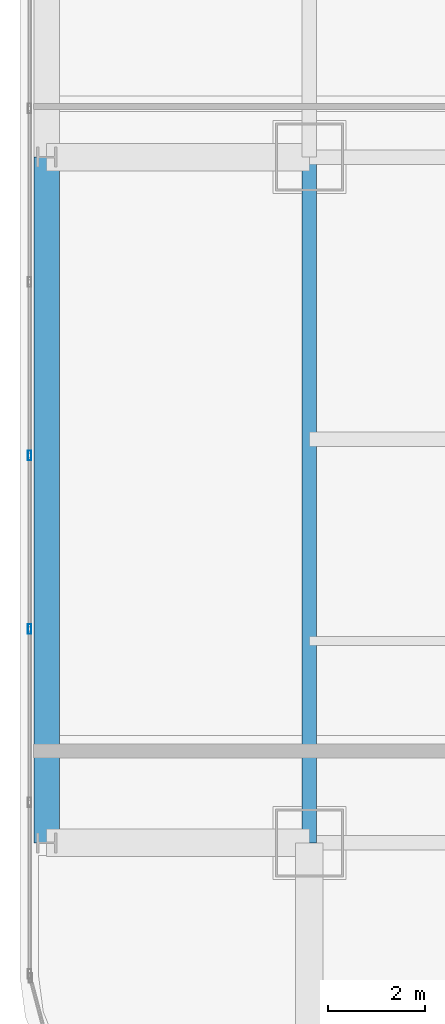
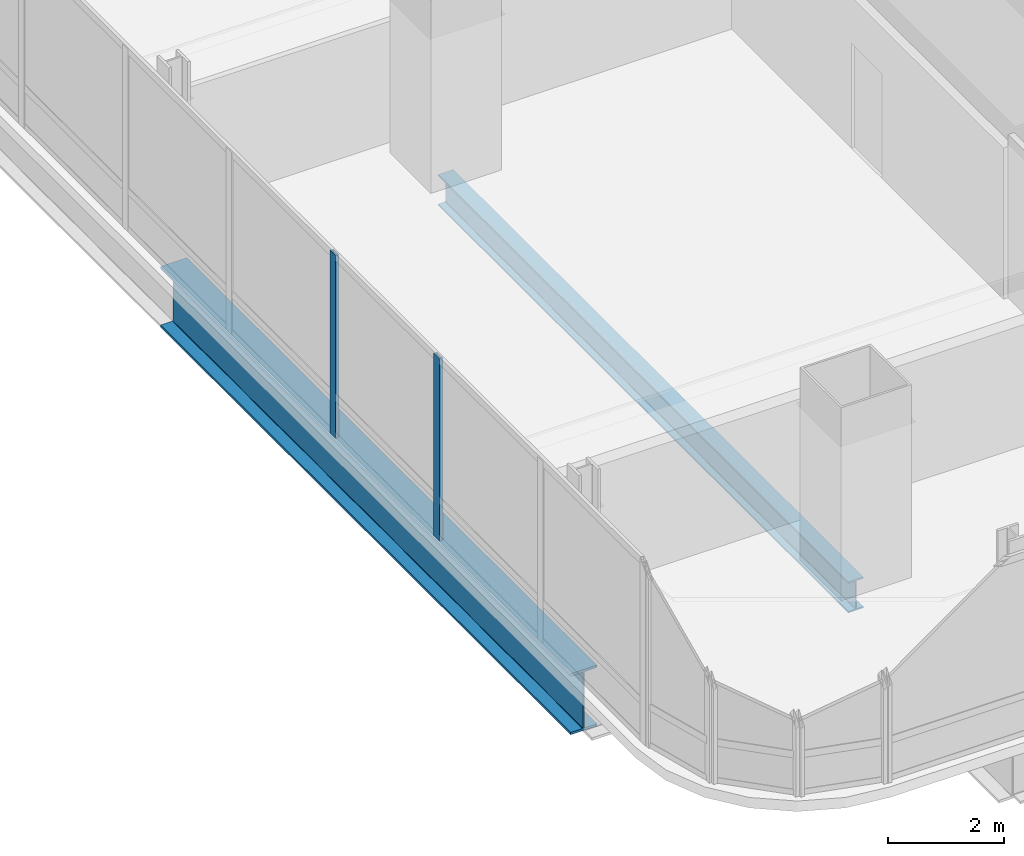
# One storey, part 4 of 36: 2 beams, 2 members, 1 element without a shape of its own.
"""IFC4 building model written with IfcOpenShell, lengths in metres."""

from ifc_helpers import new_model, si_unit, direction, frame, origin, origin_2d, place, context, subcontext, project, spatial, hollow_rectangle, i_section, extrude, material, material_profile, profile_set, type_object, element, aggregate, save


model = new_model("IFC4")

# Units and contexts
model_context = context("Model", 3, precision=1e-05, world=origin(), true_north=direction((0.0, 1.0)))
body_context = subcontext(model_context, "Body", "Model", "MODEL_VIEW")
ifc_project = project(units=[si_unit("LENGTHUNIT", "METRE"), si_unit("AREAUNIT", "SQUARE_METRE"), si_unit("VOLUMEUNIT", "CUBIC_METRE"), si_unit("PLANEANGLEUNIT", "RADIAN"), si_unit("MASSUNIT", "GRAM", prefix="KILO")], contexts=[model_context])

# Site, building, storey
site_placement = place(None, origin())
site = spatial("IfcSite", under=ifc_project, at=site_placement, CompositionType="ELEMENT")
building_placement = place(site_placement, origin())
building = spatial("IfcBuilding", under=site, at=building_placement, Name="Punatoya Terracotta Tower", CompositionType="ELEMENT")
storey_placement = place(building_placement, frame((0.0, 0.0, 196.5)))
storey = spatial("IfcBuildingStorey", under=building, at=storey_placement, Name="L46", CompositionType="ELEMENT", Elevation=196.5)

# Beams
ifc_material_1 = material(Name="Steel S355", Category="steel")
ifc_material_profile_1 = material_profile(ifc_material_1, i_section(OverallWidth=0.300048828125, OverallDepth=0.64990234375, WebThickness=0.01611328125, FlangeThickness=0.031005859375, FilletRadius=0.01806640625, at=origin_2d()))
ifc_profile_set_1 = profile_set([ifc_material_profile_1], Name="Steel S355")
beam_type_1 = type_object("IfcBeamType", Name="BM-PRI-650", PredefinedType="BEAM", material=ifc_profile_set_1)
beam_1_placement = place(storey_placement, frame((-19.10009765625, -17.5, -0.544921875), z_axis=(0.0, 1.0, 0.0), x_axis=(-1.0, 0.0, 0.0)))
element("IfcBeam", 1, at=beam_1_placement, inside=storey, type_object=beam_type_1, Name="BM-L46-RG-W1", PredefinedType="BEAM", context=body_context, shape_type="SweptSolid", body=[
    extrude(i_section(OverallWidth=0.300048828125, OverallDepth=0.64990234375, WebThickness=0.01611328125, FlangeThickness=0.031005859375, FilletRadius=0.01806640625, at=origin_2d()), origin(), (0.0, 0.0, 1.0), 14.10009765625),
])
ifc_material_2 = material(Name="Steel S460", Category="steel")
ifc_material_profile_2 = material_profile(ifc_material_2, i_section(OverallWidth=0.52001953125, OverallDepth=1.280029296875, WebThickness=0.031982421875, FlangeThickness=0.050048828125, FilletRadius=0.01806640625, at=origin_2d()))
ifc_profile_set_2 = profile_set([ifc_material_profile_2], Name="Steel S460")
beam_type_2 = type_object("IfcBeamType", Name="BM-TG-NCK", PredefinedType="BEAM", material=ifc_profile_set_2)
beam_2_placement = place(storey_placement, frame((-24.5, -17.5, -0.860107421875), z_axis=(0.0, 1.0, 0.0), x_axis=(-1.0, 0.0, 0.0)))
element("IfcBeam", 2, at=beam_2_placement, inside=storey, type_object=beam_type_2, Name="BM-L46-PER-W1", PredefinedType="BEAM", context=body_context, shape_type="SweptSolid", body=[
    extrude(i_section(OverallWidth=0.52001953125, OverallDepth=1.280029296875, WebThickness=0.031982421875, FlangeThickness=0.050048828125, FilletRadius=0.01806640625, at=origin_2d()), origin(), (0.0, 0.0, 1.0), 14.10009765625),
])

# Curtain wall, members
ifc_material_3 = material(Name="Aluminium 6063-T6 + Double Low-E Glass", Category="aluminium")
curtain_wall_type = type_object("IfcCurtainWallType", Name="CW-M2", PredefinedType="NOTDEFINED", material=ifc_material_3)
curtain_wall_placement = place(storey_placement, origin())
curtain_wall = element("IfcCurtainWall", 3, at=curtain_wall_placement, inside=storey, type_object=curtain_wall_type, Name="L46 Curtain Wall CW-L46-W13-1", PredefinedType="NOTDEFINED")
ifc_material_4 = material(Name="Aluminium 6063-T6", Category="aluminium")
ifc_material_profile_3 = material_profile(ifc_material_4, hollow_rectangle(XDim=0.072021484375, YDim=0.195068359375, WallThickness=0.00439453125, at=origin_2d()))
ifc_profile_set_3 = profile_set([ifc_material_profile_3], Name="Aluminium 6063-T6")
member_type = type_object("IfcMemberType", Name="CW-MUL-M2", PredefinedType="MULLION", material=ifc_profile_set_3)
member_1_placement = place(storey_placement, frame((-24.85009765625, -9.534912109375, 0.0), z_axis=(0.0, 0.0, 1.0), x_axis=(1.0, 0.0, 0.0)))
member_1 = element("IfcMember", 4, at=member_1_placement, type_object=member_type, Name="CW-L46-W13-1 Mullion 07", PredefinedType="MULLION", context=body_context, shape_type="SweptSolid", body=[
    extrude(hollow_rectangle(XDim=0.072021484375, YDim=0.195068359375, WallThickness=0.00439453125, at=origin_2d()), origin(), (0.0, 0.0, 1.0), 3.830078125),
])
member_2_placement = place(storey_placement, frame((-24.85009765625, -13.10205078125, 0.0), z_axis=(0.0, 0.0, 1.0), x_axis=(1.0, 0.0, 0.0)))
member_2 = element("IfcMember", 5, at=member_2_placement, type_object=member_type, Name="CW-L46-W13-1 Mullion 08", PredefinedType="MULLION", context=body_context, shape_type="SweptSolid", body=[
    extrude(hollow_rectangle(XDim=0.072021484375, YDim=0.195068359375, WallThickness=0.00439453125, at=origin_2d()), origin(), (0.0, 0.0, 1.0), 3.830078125),
])
aggregate(curtain_wall, [member_1, member_2])

save(model, "model.ifc")
